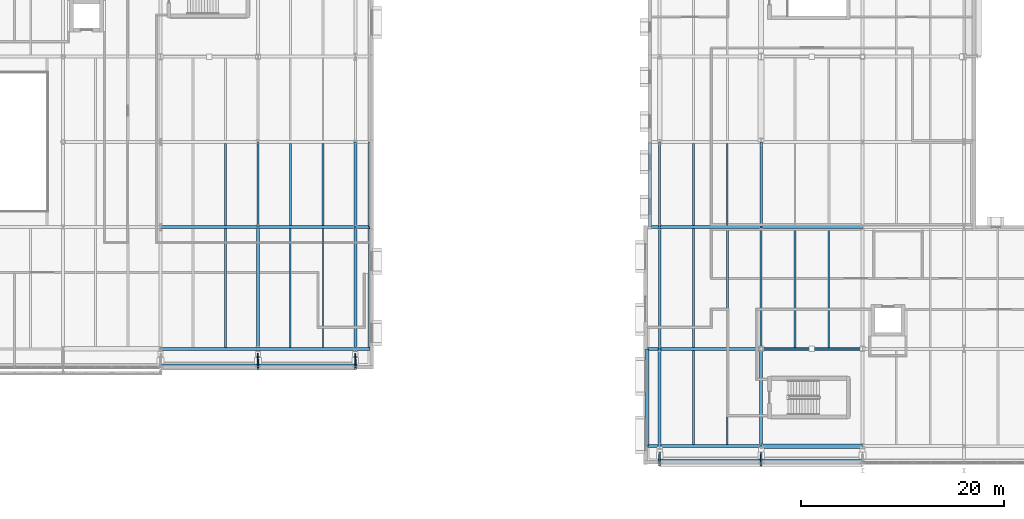
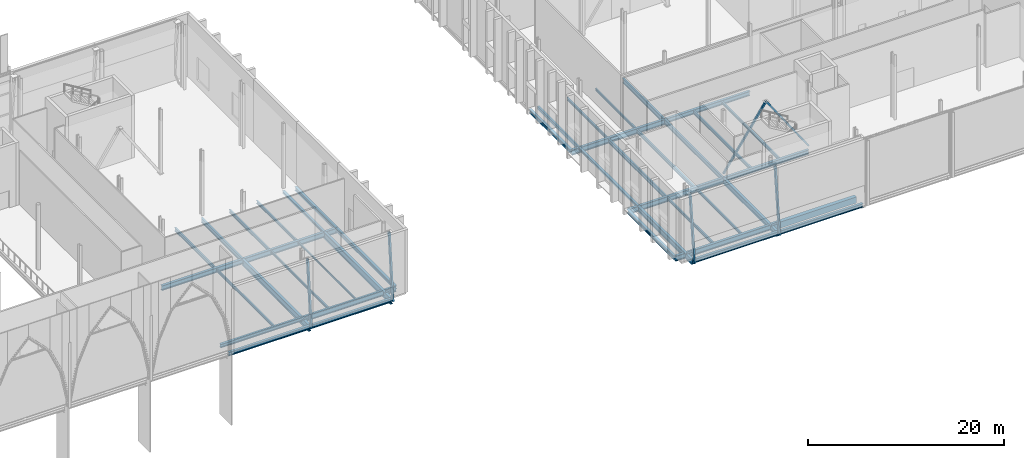
# One storey, part 31 of 79: 42 beams, 10 members.
"""IFC4 building model written with IfcOpenShell, lengths in metres."""

from ifc_helpers import new_model, si_unit, direction, frame, origin, origin_2d, place, context, subcontext, project, spatial, rectangle, hollow_rectangle, i_section, extrude, material, material_profile, profile_set, type_object, element, save


model = new_model("IFC4")

# Units and contexts
model_context = context("Model", 3, precision=1e-05, world=origin(), true_north=direction((0.0, 1.0)))
body_context = subcontext(model_context, "Body", "Model", "MODEL_VIEW")
ifc_project = project(units=[si_unit("LENGTHUNIT", "METRE"), si_unit("AREAUNIT", "SQUARE_METRE"), si_unit("VOLUMEUNIT", "CUBIC_METRE"), si_unit("PLANEANGLEUNIT", "RADIAN"), si_unit("MASSUNIT", "GRAM", prefix="KILO")], contexts=[model_context])

# Site, building, storey
site_placement = place(None, origin())
site = spatial("IfcSite", under=ifc_project, at=site_placement, CompositionType="ELEMENT")
building_placement = place(site_placement, origin())
building = spatial("IfcBuilding", under=site, at=building_placement, Name="Zereglee Splitstone Museum", CompositionType="ELEMENT")
storey_placement = place(building_placement, frame((0.0, 0.0, 9.0)))
storey = spatial("IfcBuildingStorey", under=building, at=storey_placement, Name="L02", CompositionType="ELEMENT", Elevation=9.0)

# Members
ifc_material_1 = material(Name="Steel S355J2H", Category="steel")
ifc_material_profile_1 = material_profile(ifc_material_1, hollow_rectangle(XDim=0.199951171875, YDim=0.199951171875, WallThickness=0.010009765625, at=origin_2d()), Name="SHS 200x200x10")
ifc_profile_set_1 = profile_set([ifc_material_profile_1], Name="Steel S355J2H")
member_type_1 = type_object("IfcMemberType", Name="TB-07", PredefinedType="BRACE", material=ifc_profile_set_1)
for number, where, z_axis, x_axis, name in (
    (1, (185.199951171875, 9.60009765625, 0.1201171875), (0.567215076926, 0.0, 0.82356970349), (0.0, 1.0, 0.0), "Lateral Braced Frame Chevron L02-017A"),
    (2, (195.199951171875, 9.60009765625, 0.1201171875), (-0.567215076926, 0.0, 0.82356970349), (0.0, -1.0, 0.0), "Lateral Braced Frame Chevron L02-017B"),
):
    element("IfcMember", number, at=place(storey_placement, frame(where, z_axis=z_axis, x_axis=x_axis)), inside=storey, type_object=member_type_1, Name=name, PredefinedType="BRACE", context=body_context, shape_type="SweptSolid", body=[
        extrude(hollow_rectangle(XDim=0.199951171875, YDim=0.199951171875, WallThickness=0.010009765625, at=origin_2d()), origin(), (0.0, 0.0, 1.0), 8.81494140625),
    ])

# Beams
ifc_material_2 = material(Name="Steel S355J2", Category="steel")
ifc_material_profile_2 = material_profile(ifc_material_2, i_section(OverallWidth=0.300048828125, OverallDepth=0.550048828125, WebThickness=0.014892578125, FlangeThickness=0.029052734375, FilletRadius=0.027099609375, at=origin_2d()), Name="HE 550 B")
ifc_profile_set_2 = profile_set([ifc_material_profile_2], Name="Steel S355J2")
beam_type_1 = type_object("IfcBeamType", Name="BG-11", PredefinedType="BEAM", material=ifc_profile_set_2)
for number, where, z_axis, x_axis, name in (
    (3, (185.199951171875, 9.60009765625, -0.594970703125), (1.0, 0.0, 0.0), (0.0, 1.0, 0.0), "Primary Girder L02 B (185.2-195.2)"),
    (4, (185.199951171875, 21.60009765625, -0.594970703125), (1.0, 0.0, 0.0), (0.0, 1.0, 0.0), "Primary Girder L02 C (185.2-195.2)"),
):
    element("IfcBeam", number, at=place(storey_placement, frame(where, z_axis=z_axis, x_axis=x_axis)), inside=storey, type_object=beam_type_1, Name=name, PredefinedType="BEAM", context=body_context, shape_type="SweptSolid", body=[
        extrude(i_section(OverallWidth=0.300048828125, OverallDepth=0.550048828125, WebThickness=0.014892578125, FlangeThickness=0.029052734375, FilletRadius=0.027099609375, at=origin_2d()), origin(), (0.0, 0.0, 1.0), 10.0),
    ])
ifc_material_profile_3 = material_profile(ifc_material_2, i_section(OverallWidth=0.300048828125, OverallDepth=0.60009765625, WebThickness=0.015380859375, FlangeThickness=0.030029296875, FilletRadius=0.027099609375, at=origin_2d()), Name="HE 600 B")
ifc_profile_set_3 = profile_set([ifc_material_profile_3], Name="Steel S355J2")
beam_type_2 = type_object("IfcBeamType", Name="BG-10", PredefinedType="BEAM", material=ifc_profile_set_3)
beam_1_placement = place(storey_placement, frame((126.0, 21.60009765625, -0.6201171875), z_axis=(1.0, 0.0, 0.0), x_axis=(0.0, 1.0, 0.0)))
element("IfcBeam", 5, at=beam_1_placement, inside=storey, type_object=beam_type_2, Name="Primary Girder L02 C (126.0-135.6)", PredefinedType="BEAM", context=body_context, shape_type="SweptSolid", body=[
    extrude(i_section(OverallWidth=0.300048828125, OverallDepth=0.60009765625, WebThickness=0.015380859375, FlangeThickness=0.030029296875, FilletRadius=0.027099609375, at=origin_2d()), origin(), (0.0, 0.0, 1.0), 9.60009765625),
])
ifc_material_profile_4 = material_profile(ifc_material_2, i_section(OverallWidth=0.300048828125, OverallDepth=0.64990234375, WebThickness=0.01611328125, FlangeThickness=0.031005859375, FilletRadius=0.027099609375, at=origin_2d()), Name="HE 650 B")
ifc_profile_set_4 = profile_set([ifc_material_profile_4], Name="Steel S355J2")
beam_type_3 = type_object("IfcBeamType", Name="BG-09", PredefinedType="BEAM", material=ifc_profile_set_4)
beam_2_placement = place(storey_placement, frame((173.949951171875, 0.0, -0.64501953125), z_axis=(1.0, 0.0, 0.0), x_axis=(0.0, 1.0, 0.0)))
element("IfcBeam", 6, at=beam_2_placement, inside=storey, type_object=beam_type_3, Name="Primary Girder L02 A (173.9-185.2)", PredefinedType="BEAM", context=body_context, shape_type="SweptSolid", body=[
    extrude(i_section(OverallWidth=0.300048828125, OverallDepth=0.64990234375, WebThickness=0.01611328125, FlangeThickness=0.031005859375, FilletRadius=0.027099609375, at=origin_2d()), origin(), (0.0, 0.0, 1.0), 11.25),
])
beam_3_placement = place(storey_placement, frame((135.60009765625, 9.60009765625, -0.64501953125), z_axis=(1.0, 0.0, 0.0), x_axis=(0.0, 1.0, 0.0)))
element("IfcBeam", 7, at=beam_3_placement, inside=storey, type_object=beam_type_3, Name="Primary Girder L02 B (135.6-146.7)", PredefinedType="BEAM", context=body_context, shape_type="SweptSolid", body=[
    extrude(i_section(OverallWidth=0.300048828125, OverallDepth=0.64990234375, WebThickness=0.01611328125, FlangeThickness=0.031005859375, FilletRadius=0.027099609375, at=origin_2d()), origin(), (0.0, 0.0, 1.0), 11.0498046875),
])
beam_4_placement = place(storey_placement, frame((173.949951171875, 9.60009765625, -0.64501953125), z_axis=(1.0, 0.0, 0.0), x_axis=(0.0, 1.0, 0.0)))
element("IfcBeam", 8, at=beam_4_placement, inside=storey, type_object=beam_type_3, Name="Primary Girder L02 B (173.9-185.2)", PredefinedType="BEAM", context=body_context, shape_type="SweptSolid", body=[
    extrude(i_section(OverallWidth=0.300048828125, OverallDepth=0.64990234375, WebThickness=0.01611328125, FlangeThickness=0.031005859375, FilletRadius=0.027099609375, at=origin_2d()), origin(), (0.0, 0.0, 1.0), 11.25),
])
beam_5_placement = place(storey_placement, frame((135.60009765625, 21.60009765625, -0.64501953125), z_axis=(1.0, 0.0, 0.0), x_axis=(0.0, 1.0, 0.0)))
element("IfcBeam", 9, at=beam_5_placement, inside=storey, type_object=beam_type_3, Name="Primary Girder L02 C (135.6-146.7)", PredefinedType="BEAM", context=body_context, shape_type="SweptSolid", body=[
    extrude(i_section(OverallWidth=0.300048828125, OverallDepth=0.64990234375, WebThickness=0.01611328125, FlangeThickness=0.031005859375, FilletRadius=0.027099609375, at=origin_2d()), origin(), (0.0, 0.0, 1.0), 11.0498046875),
])
beam_6_placement = place(storey_placement, frame((174.25, 21.60009765625, -0.64501953125), z_axis=(1.0, 0.0, 0.0), x_axis=(0.0, 1.0, 0.0)))
element("IfcBeam", 10, at=beam_6_placement, inside=storey, type_object=beam_type_3, Name="Primary Girder L02 C (174.2-185.2)", PredefinedType="BEAM", context=body_context, shape_type="SweptSolid", body=[
    extrude(i_section(OverallWidth=0.300048828125, OverallDepth=0.64990234375, WebThickness=0.01611328125, FlangeThickness=0.031005859375, FilletRadius=0.027099609375, at=origin_2d()), origin(), (0.0, 0.0, 1.0), 10.949951171875),
])
for number, where, z_axis, x_axis, name in (
    (11, (175.199951171875, -1.449951171875, -0.64501953125), (0.0, 1.0, 0.0), (-1.0, 0.0, 0.0), "Primary Girder L02 20 (-1.4-9.6)"),
    (12, (185.199951171875, -1.449951171875, -0.64501953125), (0.0, 1.0, 0.0), (-1.0, 0.0, 0.0), "Primary Girder L02 21 (-1.4-9.6)"),
):
    element("IfcBeam", number, at=place(storey_placement, frame(where, z_axis=z_axis, x_axis=x_axis)), inside=storey, type_object=beam_type_3, Name=name, PredefinedType="BEAM", context=body_context, shape_type="SweptSolid", body=[
        extrude(i_section(OverallWidth=0.300048828125, OverallDepth=0.64990234375, WebThickness=0.01611328125, FlangeThickness=0.031005859375, FilletRadius=0.027099609375, at=origin_2d()), origin(), (0.0, 0.0, 1.0), 11.050048828125),
    ])
ifc_material_profile_5 = material_profile(ifc_material_2, i_section(OverallWidth=0.300048828125, OverallDepth=0.800048828125, WebThickness=0.017578125, FlangeThickness=0.032958984375, FilletRadius=0.030029296875, at=origin_2d()), Name="HE 800 B")
ifc_profile_set_5 = profile_set([ifc_material_profile_5], Name="Steel S355J2")
beam_type_4 = type_object("IfcBeamType", Name="BG-07", PredefinedType="BEAM", material=ifc_profile_set_5)
for number, where, z_axis, x_axis, name in (
    (13, (135.60009765625, 7.949951171875, -0.719970703125), (0.0, 1.0, 0.0), (-1.0, 0.0, 0.0), "Primary Girder L02 16 (8.0-21.6)"),
    (14, (145.199951171875, 7.949951171875, -0.719970703125), (0.0, 1.0, 0.0), (-1.0, 0.0, 0.0), "Primary Girder L02 17 (8.0-21.6)"),
):
    element("IfcBeam", number, at=place(storey_placement, frame(where, z_axis=z_axis, x_axis=x_axis)), inside=storey, type_object=beam_type_4, Name=name, PredefinedType="BEAM", context=body_context, shape_type="SweptSolid", body=[
        extrude(i_section(OverallWidth=0.300048828125, OverallDepth=0.800048828125, WebThickness=0.017578125, FlangeThickness=0.032958984375, FilletRadius=0.030029296875, at=origin_2d()), origin(), (0.0, 0.0, 1.0), 13.650146484375),
    ])
ifc_material_profile_6 = material_profile(ifc_material_2, i_section(OverallWidth=0.2099609375, OverallDepth=0.550048828125, WebThickness=0.010986328125, FlangeThickness=0.01708984375, FilletRadius=0.02392578125, at=origin_2d()), Name="IPE 550")
ifc_profile_set_6 = profile_set([ifc_material_profile_6], Name="Steel S355J2")
beam_type_5 = type_object("IfcBeamType", Name="BG-16", PredefinedType="BEAM", material=ifc_profile_set_6)
beam_7_placement = place(storey_placement, frame((135.60009765625, 21.60009765625, -0.594970703125), z_axis=(0.0, 1.0, 0.0), x_axis=(-1.0, 0.0, 0.0)))
element("IfcBeam", 15, at=beam_7_placement, inside=storey, type_object=beam_type_5, Name="Primary Girder L02 16 (21.6-30.0)", PredefinedType="BEAM", context=body_context, shape_type="SweptSolid", body=[
    extrude(i_section(OverallWidth=0.2099609375, OverallDepth=0.550048828125, WebThickness=0.010986328125, FlangeThickness=0.01708984375, FilletRadius=0.02392578125, at=origin_2d()), origin(), (0.0, 0.0, 1.0), 8.39990234375),
])
beam_8_placement = place(storey_placement, frame((185.199951171875, 9.60009765625, -0.594970703125), z_axis=(0.0, 1.0, 0.0), x_axis=(-1.0, 0.0, 0.0)))
element("IfcBeam", 16, at=beam_8_placement, inside=storey, type_object=beam_type_5, Name="Primary Girder L02 21 (9.6-21.6)", PredefinedType="BEAM", context=body_context, shape_type="SweptSolid", body=[
    extrude(i_section(OverallWidth=0.2099609375, OverallDepth=0.550048828125, WebThickness=0.010986328125, FlangeThickness=0.01708984375, FilletRadius=0.02392578125, at=origin_2d()), origin(), (0.0, 0.0, 1.0), 12.0),
])
ifc_material_profile_7 = material_profile(ifc_material_2, i_section(OverallWidth=0.219970703125, OverallDepth=0.60009765625, WebThickness=0.011962890625, FlangeThickness=0.01904296875, FilletRadius=0.02392578125, at=origin_2d()), Name="IPE 600")
ifc_profile_set_7 = profile_set([ifc_material_profile_7], Name="Steel S355J2")
beam_type_6 = type_object("IfcBeamType", Name="BG-15", PredefinedType="BEAM", material=ifc_profile_set_7)
beam_9_placement = place(storey_placement, frame((185.199951171875, 21.60009765625, -0.6201171875), z_axis=(0.0, 1.0, 0.0), x_axis=(-1.0, 0.0, 0.0)))
element("IfcBeam", 17, at=beam_9_placement, inside=storey, type_object=beam_type_6, Name="Primary Girder L02 21 (21.6-30.0)", PredefinedType="BEAM", context=body_context, shape_type="SweptSolid", body=[
    extrude(i_section(OverallWidth=0.219970703125, OverallDepth=0.60009765625, WebThickness=0.011962890625, FlangeThickness=0.01904296875, FilletRadius=0.02392578125, at=origin_2d()), origin(), (0.0, 0.0, 1.0), 8.39990234375),
])
ifc_material_profile_8 = material_profile(ifc_material_2, i_section(OverallWidth=0.1201171875, OverallDepth=0.239990234375, WebThickness=0.006103515625, FlangeThickness=0.009765625, FilletRadius=0.014892578125, at=origin_2d()), Name="IPE 240")
ifc_profile_set_8 = profile_set([ifc_material_profile_8], Name="Steel S355J2")
beam_type_7 = type_object("IfcBeamType", Name="BJ-07", PredefinedType="JOIST", material=ifc_profile_set_8)
beam_10_placement = place(storey_placement, frame((142.0, 9.75, -0.43994140625), z_axis=(0.0, 1.0, 0.0), x_axis=(-1.0, 0.0, 0.0)))
element("IfcBeam", 18, at=beam_10_placement, inside=storey, type_object=beam_type_7, Name="Secondary Floor Joist L02-1063", PredefinedType="JOIST", context=body_context, shape_type="SweptSolid", body=[
    extrude(i_section(OverallWidth=0.1201171875, OverallDepth=0.239990234375, WebThickness=0.006103515625, FlangeThickness=0.009765625, FilletRadius=0.014892578125, at=origin_2d()), origin(), (0.0, 0.0, 1.0), 11.699951171875),
])
ifc_material_profile_9 = material_profile(ifc_material_2, i_section(OverallWidth=0.14990234375, OverallDepth=0.300048828125, WebThickness=0.007080078125, FlangeThickness=0.0107421875, FilletRadius=0.014892578125, at=origin_2d()), Name="IPE 300")
ifc_profile_set_9 = profile_set([ifc_material_profile_9], Name="Steel S355J2")
beam_type_8 = type_object("IfcBeamType", Name="BJ-06", PredefinedType="JOIST", material=ifc_profile_set_9)
beam_11_placement = place(storey_placement, frame((138.800048828125, 9.75, -0.469970703125), z_axis=(0.0, 1.0, 0.0), x_axis=(-1.0, 0.0, 0.0)))
element("IfcBeam", 19, at=beam_11_placement, inside=storey, type_object=beam_type_8, Name="Secondary Floor Joist L02-1062", PredefinedType="JOIST", context=body_context, shape_type="SweptSolid", body=[
    extrude(i_section(OverallWidth=0.14990234375, OverallDepth=0.300048828125, WebThickness=0.007080078125, FlangeThickness=0.0107421875, FilletRadius=0.014892578125, at=origin_2d()), origin(), (0.0, 0.0, 1.0), 11.699951171875),
])
beam_12_placement = place(storey_placement, frame((181.86669921875, 21.75, -0.469970703125), z_axis=(0.0, 1.0, 0.0), x_axis=(-1.0, 0.0, 0.0)))
element("IfcBeam", 20, at=beam_12_placement, inside=storey, type_object=beam_type_8, Name="Secondary Floor Joist L02-1090", PredefinedType="JOIST", context=body_context, shape_type="SweptSolid", body=[
    extrude(i_section(OverallWidth=0.14990234375, OverallDepth=0.300048828125, WebThickness=0.007080078125, FlangeThickness=0.0107421875, FilletRadius=0.014892578125, at=origin_2d()), origin(), (0.0, 0.0, 1.0), 8.10009765625),
])
ifc_material_profile_10 = material_profile(ifc_material_2, i_section(OverallWidth=0.159912109375, OverallDepth=0.330078125, WebThickness=0.007568359375, FlangeThickness=0.011474609375, FilletRadius=0.01806640625, at=origin_2d()), Name="IPE 330")
ifc_profile_set_10 = profile_set([ifc_material_profile_10], Name="Steel S355J2")
beam_type_9 = type_object("IfcBeamType", Name="BJ-05", PredefinedType="JOIST", material=ifc_profile_set_10)
beam_13_placement = place(storey_placement, frame((181.86669921875, 0.14990234375, -0.485107421875), z_axis=(0.0, 1.0, 0.0), x_axis=(-1.0, 0.0, 0.0)))
element("IfcBeam", 21, at=beam_13_placement, inside=storey, type_object=beam_type_9, Name="Secondary Floor Joist L02-1040", PredefinedType="JOIST", context=body_context, shape_type="SweptSolid", body=[
    extrude(i_section(OverallWidth=0.159912109375, OverallDepth=0.330078125, WebThickness=0.007568359375, FlangeThickness=0.011474609375, FilletRadius=0.01806640625, at=origin_2d()), origin(), (0.0, 0.0, 1.0), 9.300048828125),
])
beam_14_placement = place(storey_placement, frame((132.39990234375, 9.75, -0.485107421875), z_axis=(0.0, 1.0, 0.0), x_axis=(-1.0, 0.0, 0.0)))
element("IfcBeam", 22, at=beam_14_placement, inside=storey, type_object=beam_type_9, Name="Secondary Floor Joist L02-1061", PredefinedType="JOIST", context=body_context, shape_type="SweptSolid", body=[
    extrude(i_section(OverallWidth=0.159912109375, OverallDepth=0.330078125, WebThickness=0.007568359375, FlangeThickness=0.011474609375, FilletRadius=0.01806640625, at=origin_2d()), origin(), (0.0, 0.0, 1.0), 11.699951171875),
])
beam_15_placement = place(storey_placement, frame((178.533203125, 21.75, -0.485107421875), z_axis=(0.0, 1.0, 0.0), x_axis=(-1.0, 0.0, 0.0)))
element("IfcBeam", 23, at=beam_15_placement, inside=storey, type_object=beam_type_9, Name="Secondary Floor Joist L02-1089", PredefinedType="JOIST", context=body_context, shape_type="SweptSolid", body=[
    extrude(i_section(OverallWidth=0.159912109375, OverallDepth=0.330078125, WebThickness=0.007568359375, FlangeThickness=0.011474609375, FilletRadius=0.01806640625, at=origin_2d()), origin(), (0.0, 0.0, 1.0), 8.10009765625),
])
ifc_material_profile_11 = material_profile(ifc_material_2, i_section(OverallWidth=0.169921875, OverallDepth=0.360107421875, WebThickness=0.008056640625, FlangeThickness=0.0126953125, FilletRadius=0.01806640625, at=origin_2d()), Name="IPE 360")
ifc_profile_set_11 = profile_set([ifc_material_profile_11], Name="Steel S355J2")
beam_type_10 = type_object("IfcBeamType", Name="BJ-04", PredefinedType="JOIST", material=ifc_profile_set_11)
beam_16_placement = place(storey_placement, frame((178.533203125, 0.14990234375, -0.5), z_axis=(0.0, 1.0, 0.0), x_axis=(-1.0, 0.0, 0.0)))
element("IfcBeam", 24, at=beam_16_placement, inside=storey, type_object=beam_type_10, Name="Secondary Floor Joist L02-1039", PredefinedType="JOIST", context=body_context, shape_type="SweptSolid", body=[
    extrude(i_section(OverallWidth=0.169921875, OverallDepth=0.360107421875, WebThickness=0.008056640625, FlangeThickness=0.0126953125, FilletRadius=0.01806640625, at=origin_2d()), origin(), (0.0, 0.0, 1.0), 9.300048828125),
])
beam_17_placement = place(storey_placement, frame((191.86669921875, 9.75, -0.5), z_axis=(0.0, 1.0, 0.0), x_axis=(-1.0, 0.0, 0.0)))
element("IfcBeam", 25, at=beam_17_placement, inside=storey, type_object=beam_type_10, Name="Secondary Floor Joist L02-1067", PredefinedType="JOIST", context=body_context, shape_type="SweptSolid", body=[
    extrude(i_section(OverallWidth=0.169921875, OverallDepth=0.360107421875, WebThickness=0.008056640625, FlangeThickness=0.0126953125, FilletRadius=0.01806640625, at=origin_2d()), origin(), (0.0, 0.0, 1.0), 11.699951171875),
])
beam_18_placement = place(storey_placement, frame((142.0, 21.75, -0.5), z_axis=(0.0, 1.0, 0.0), x_axis=(-1.0, 0.0, 0.0)))
element("IfcBeam", 26, at=beam_18_placement, inside=storey, type_object=beam_type_10, Name="Secondary Floor Joist L02-1088", PredefinedType="JOIST", context=body_context, shape_type="SweptSolid", body=[
    extrude(i_section(OverallWidth=0.169921875, OverallDepth=0.360107421875, WebThickness=0.008056640625, FlangeThickness=0.0126953125, FilletRadius=0.01806640625, at=origin_2d()), origin(), (0.0, 0.0, 1.0), 8.10009765625),
])
ifc_material_profile_12 = material_profile(ifc_material_2, i_section(OverallWidth=0.179931640625, OverallDepth=0.39990234375, WebThickness=0.008544921875, FlangeThickness=0.013427734375, FilletRadius=0.02099609375, at=origin_2d()), Name="IPE 400")
ifc_profile_set_12 = profile_set([ifc_material_profile_12], Name="Steel S355J2")
beam_type_11 = type_object("IfcBeamType", Name="BJ-03", PredefinedType="JOIST", material=ifc_profile_set_12)
beam_19_placement = place(storey_placement, frame((188.533203125, 9.75, -0.52001953125), z_axis=(0.0, 1.0, 0.0), x_axis=(-1.0, 0.0, 0.0)))
element("IfcBeam", 27, at=beam_19_placement, inside=storey, type_object=beam_type_11, Name="Secondary Floor Joist L02-1066", PredefinedType="JOIST", context=body_context, shape_type="SweptSolid", body=[
    extrude(i_section(OverallWidth=0.179931640625, OverallDepth=0.39990234375, WebThickness=0.008544921875, FlangeThickness=0.013427734375, FilletRadius=0.02099609375, at=origin_2d()), origin(), (0.0, 0.0, 1.0), 11.699951171875),
])
beam_20_placement = place(storey_placement, frame((138.800048828125, 21.75, -0.52001953125), z_axis=(0.0, 1.0, 0.0), x_axis=(-1.0, 0.0, 0.0)))
element("IfcBeam", 28, at=beam_20_placement, inside=storey, type_object=beam_type_11, Name="Secondary Floor Joist L02-1087", PredefinedType="JOIST", context=body_context, shape_type="SweptSolid", body=[
    extrude(i_section(OverallWidth=0.179931640625, OverallDepth=0.39990234375, WebThickness=0.008544921875, FlangeThickness=0.013427734375, FilletRadius=0.02099609375, at=origin_2d()), origin(), (0.0, 0.0, 1.0), 8.10009765625),
])
ifc_material_profile_13 = material_profile(ifc_material_2, i_section(OverallWidth=0.18994140625, OverallDepth=0.449951171875, WebThickness=0.009521484375, FlangeThickness=0.0146484375, FilletRadius=0.02099609375, at=origin_2d()), Name="IPE 450")
ifc_profile_set_13 = profile_set([ifc_material_profile_13], Name="Steel S355J2")
beam_type_12 = type_object("IfcBeamType", Name="BJ-02", PredefinedType="JOIST", material=ifc_profile_set_13)
beam_21_placement = place(storey_placement, frame((181.86669921875, 9.75, -0.544921875), z_axis=(0.0, 1.0, 0.0), x_axis=(-1.0, 0.0, 0.0)))
element("IfcBeam", 29, at=beam_21_placement, inside=storey, type_object=beam_type_12, Name="Secondary Floor Joist L02-1065", PredefinedType="JOIST", context=body_context, shape_type="SweptSolid", body=[
    extrude(i_section(OverallWidth=0.18994140625, OverallDepth=0.449951171875, WebThickness=0.009521484375, FlangeThickness=0.0146484375, FilletRadius=0.02099609375, at=origin_2d()), origin(), (0.0, 0.0, 1.0), 11.699951171875),
])
beam_22_placement = place(storey_placement, frame((132.39990234375, 21.75, -0.544921875), z_axis=(0.0, 1.0, 0.0), x_axis=(-1.0, 0.0, 0.0)))
element("IfcBeam", 30, at=beam_22_placement, inside=storey, type_object=beam_type_12, Name="Secondary Floor Joist L02-1086", PredefinedType="JOIST", context=body_context, shape_type="SweptSolid", body=[
    extrude(i_section(OverallWidth=0.18994140625, OverallDepth=0.449951171875, WebThickness=0.009521484375, FlangeThickness=0.0146484375, FilletRadius=0.02099609375, at=origin_2d()), origin(), (0.0, 0.0, 1.0), 8.10009765625),
])
ifc_material_profile_14 = material_profile(ifc_material_2, i_section(OverallWidth=0.199951171875, OverallDepth=0.5, WebThickness=0.01025390625, FlangeThickness=0.01611328125, FilletRadius=0.02099609375, at=origin_2d()), Name="IPE 500")
ifc_profile_set_14 = profile_set([ifc_material_profile_14], Name="Steel S355J2")
beam_type_13 = type_object("IfcBeamType", Name="BJ-01", PredefinedType="JOIST", material=ifc_profile_set_14)
beam_23_placement = place(storey_placement, frame((178.533203125, 9.75, -0.570068359375), z_axis=(0.0, 1.0, 0.0), x_axis=(-1.0, 0.0, 0.0)))
element("IfcBeam", 31, at=beam_23_placement, inside=storey, type_object=beam_type_13, Name="Secondary Floor Joist L02-1064", PredefinedType="JOIST", context=body_context, shape_type="SweptSolid", body=[
    extrude(i_section(OverallWidth=0.199951171875, OverallDepth=0.5, WebThickness=0.01025390625, FlangeThickness=0.01611328125, FilletRadius=0.02099609375, at=origin_2d()), origin(), (0.0, 0.0, 1.0), 11.699951171875),
])
ifc_material_profile_15 = material_profile(ifc_material_2, i_section(OverallWidth=0.280029296875, OverallDepth=0.280029296875, WebThickness=0.010498046875, FlangeThickness=0.01806640625, FilletRadius=0.02392578125, at=origin_2d()), Name="HE 280 B")
ifc_profile_set_15 = profile_set([ifc_material_profile_15], Name="Steel S355J2")
beam_type_14 = type_object("IfcBeamType", Name="SP-03", PredefinedType="SPANDREL", material=ifc_profile_set_15)
beam_24_placement = place(storey_placement, frame((145.199951171875, 21.60009765625, -0.4599609375), z_axis=(0.0, 1.0, 0.0), x_axis=(-1.0, 0.0, 0.0)))
element("IfcBeam", 32, at=beam_24_placement, inside=storey, type_object=beam_type_14, Name="Primary Girder L02 17 (21.6-30.0)", PredefinedType="SPANDREL", context=body_context, shape_type="SweptSolid", body=[
    extrude(i_section(OverallWidth=0.280029296875, OverallDepth=0.280029296875, WebThickness=0.010498046875, FlangeThickness=0.01806640625, FilletRadius=0.02392578125, at=origin_2d()), origin(), (0.0, 0.0, 1.0), 8.39990234375),
])
beam_25_placement = place(storey_placement, frame((175.199951171875, 9.60009765625, -0.4599609375), z_axis=(0.0, 1.0, 0.0), x_axis=(-1.0, 0.0, 0.0)))
element("IfcBeam", 33, at=beam_25_placement, inside=storey, type_object=beam_type_14, Name="Primary Girder L02 20 (9.6-21.6)", PredefinedType="SPANDREL", context=body_context, shape_type="SweptSolid", body=[
    extrude(i_section(OverallWidth=0.280029296875, OverallDepth=0.280029296875, WebThickness=0.010498046875, FlangeThickness=0.01806640625, FilletRadius=0.02392578125, at=origin_2d()), origin(), (0.0, 0.0, 1.0), 12.0),
])
ifc_material_profile_16 = material_profile(ifc_material_2, i_section(OverallWidth=0.300048828125, OverallDepth=0.449951171875, WebThickness=0.013916015625, FlangeThickness=0.02587890625, FilletRadius=0.027099609375, at=origin_2d()), Name="HE 450 B")
ifc_profile_set_16 = profile_set([ifc_material_profile_16], Name="Steel S355J2")
beam_type_15 = type_object("IfcBeamType", Name="SP-02", PredefinedType="SPANDREL", material=ifc_profile_set_16)
for number, where, z_axis, x_axis, name in (
    (34, (126.0, 9.60009765625, -0.544921875), (1.0, 0.0, 0.0), (0.0, 1.0, 0.0), "Primary Girder L02 B (126.0-135.6)"),
    (35, (126.0, 7.949951171875, -0.544921875), (1.0, 0.0, 0.0), (0.0, 1.0, 0.0), "Hovering Soffit Spandrel L02 (126.0-135.6)"),
):
    element("IfcBeam", number, at=place(storey_placement, frame(where, z_axis=z_axis, x_axis=x_axis)), inside=storey, type_object=beam_type_15, Name=name, PredefinedType="SPANDREL", context=body_context, shape_type="SweptSolid", body=[
        extrude(i_section(OverallWidth=0.300048828125, OverallDepth=0.449951171875, WebThickness=0.013916015625, FlangeThickness=0.02587890625, FilletRadius=0.027099609375, at=origin_2d()), origin(), (0.0, 0.0, 1.0), 9.60009765625),
    ])
beam_26_placement = place(storey_placement, frame((135.60009765625, 7.949951171875, -0.544921875), z_axis=(1.0, 0.0, 0.0), x_axis=(0.0, 1.0, 0.0)))
element("IfcBeam", 36, at=beam_26_placement, inside=storey, type_object=beam_type_15, Name="Hovering Soffit Spandrel L02 (135.6-145.2)", PredefinedType="SPANDREL", context=body_context, shape_type="SweptSolid", body=[
    extrude(i_section(OverallWidth=0.300048828125, OverallDepth=0.449951171875, WebThickness=0.013916015625, FlangeThickness=0.02587890625, FilletRadius=0.027099609375, at=origin_2d()), origin(), (0.0, 0.0, 1.0), 9.599853515625),
])
beam_27_placement = place(storey_placement, frame((146.64990234375, 9.60009765625, -0.544921875), z_axis=(0.0, 1.0, 0.0), x_axis=(-1.0, 0.0, 0.0)))
element("IfcBeam", 37, at=beam_27_placement, inside=storey, type_object=beam_type_15, Name="Hovering Soffit Spandrel L02 Y=(9.6-21.6)", PredefinedType="SPANDREL", context=body_context, shape_type="SweptSolid", body=[
    extrude(i_section(OverallWidth=0.300048828125, OverallDepth=0.449951171875, WebThickness=0.013916015625, FlangeThickness=0.02587890625, FilletRadius=0.027099609375, at=origin_2d()), origin(), (0.0, 0.0, 1.0), 12.0),
])
beam_28_placement = place(storey_placement, frame((146.64990234375, 21.60009765625, -0.544921875), z_axis=(0.0, 1.0, 0.0), x_axis=(-1.0, 0.0, 0.0)))
element("IfcBeam", 38, at=beam_28_placement, inside=storey, type_object=beam_type_15, Name="Hovering Soffit Spandrel L02 Y=(21.6-30.0)", PredefinedType="SPANDREL", context=body_context, shape_type="SweptSolid", body=[
    extrude(i_section(OverallWidth=0.300048828125, OverallDepth=0.449951171875, WebThickness=0.013916015625, FlangeThickness=0.02587890625, FilletRadius=0.027099609375, at=origin_2d()), origin(), (0.0, 0.0, 1.0), 8.39990234375),
])
for number, where, z_axis, x_axis, name in (
    (39, (175.199951171875, -1.449951171875, -0.544921875), (1.0, 0.0, 0.0), (0.0, 1.0, 0.0), "Hovering Soffit Spandrel L02 (175.2-185.2)"),
    (40, (185.199951171875, -1.449951171875, -0.544921875), (1.0, 0.0, 0.0), (0.0, 1.0, 0.0), "Hovering Soffit Spandrel L02 (185.2-195.2)"),
):
    element("IfcBeam", number, at=place(storey_placement, frame(where, z_axis=z_axis, x_axis=x_axis)), inside=storey, type_object=beam_type_15, Name=name, PredefinedType="SPANDREL", context=body_context, shape_type="SweptSolid", body=[
        extrude(i_section(OverallWidth=0.300048828125, OverallDepth=0.449951171875, WebThickness=0.013916015625, FlangeThickness=0.02587890625, FilletRadius=0.027099609375, at=origin_2d()), origin(), (0.0, 0.0, 1.0), 10.0),
    ])
beam_29_placement = place(storey_placement, frame((173.949951171875, 0.0, -0.544921875), z_axis=(0.0, 1.0, 0.0), x_axis=(-1.0, 0.0, 0.0)))
element("IfcBeam", 41, at=beam_29_placement, inside=storey, type_object=beam_type_15, Name="Hovering Soffit Spandrel L02 Y=(0.0-9.6)", PredefinedType="SPANDREL", context=body_context, shape_type="SweptSolid", body=[
    extrude(i_section(OverallWidth=0.300048828125, OverallDepth=0.449951171875, WebThickness=0.013916015625, FlangeThickness=0.02587890625, FilletRadius=0.027099609375, at=origin_2d()), origin(), (0.0, 0.0, 1.0), 9.60009765625),
])
beam_30_placement = place(storey_placement, frame((174.25, 21.60009765625, -0.544921875), z_axis=(0.0, 1.0, 0.0), x_axis=(-1.0, 0.0, 0.0)))
element("IfcBeam", 42, at=beam_30_placement, inside=storey, type_object=beam_type_15, Name="Hovering Soffit Spandrel L02 Y=(21.6-30.0)", PredefinedType="SPANDREL", context=body_context, shape_type="SweptSolid", body=[
    extrude(i_section(OverallWidth=0.300048828125, OverallDepth=0.449951171875, WebThickness=0.013916015625, FlangeThickness=0.02587890625, FilletRadius=0.027099609375, at=origin_2d()), origin(), (0.0, 0.0, 1.0), 8.39990234375),
])
ifc_material_3 = material(Name="Concrete C40/50", Category="concrete")
ifc_material_profile_17 = material_profile(ifc_material_3, rectangle(XDim=0.449951171875, YDim=0.75, at=origin_2d()), Name="RC 450x750")
ifc_profile_set_17 = profile_set([ifc_material_profile_17], Name="Concrete C40/50")
beam_type_16 = type_object("IfcBeamType", Name="SP-01", PredefinedType="SPANDREL", material=ifc_profile_set_17)
beam_31_placement = place(storey_placement, frame((185.199951171875, 0.0, -0.695068359375), z_axis=(1.0, 0.0, 0.0), x_axis=(0.0, 1.0, 0.0)))
element("IfcBeam", 43, at=beam_31_placement, inside=storey, type_object=beam_type_16, Name="Primary Girder L02 A (185.2-195.2)", PredefinedType="SPANDREL", context=body_context, shape_type="SweptSolid", body=[
    extrude(rectangle(XDim=0.449951171875, YDim=0.75, at=origin_2d()), origin(), (0.0, 0.0, 1.0), 10.0),
])
ifc_material_profile_18 = material_profile(ifc_material_1, hollow_rectangle(XDim=0.199951171875, YDim=0.39990234375, WallThickness=0.01611328125, at=origin_2d()), Name="RHS 400x200x16")
ifc_profile_set_18 = profile_set([ifc_material_profile_18], Name="Steel S355J2H")
beam_type_17 = type_object("IfcBeamType", Name="SP-04", PredefinedType="SPANDREL", material=ifc_profile_set_18)
beam_32_placement = place(storey_placement, frame((175.199951171875, 21.60009765625, -0.52001953125), z_axis=(0.0, 1.0, 0.0), x_axis=(-1.0, 0.0, 0.0)))
element("IfcBeam", 44, at=beam_32_placement, inside=storey, type_object=beam_type_17, Name="Primary Girder L02 20 (21.6-30.0)", PredefinedType="SPANDREL", context=body_context, shape_type="SweptSolid", body=[
    extrude(hollow_rectangle(XDim=0.199951171875, YDim=0.39990234375, WallThickness=0.01611328125, at=origin_2d()), origin(), (0.0, 0.0, 1.0), 8.39990234375),
])

# Members
ifc_material_profile_19 = material_profile(ifc_material_1, hollow_rectangle(XDim=0.199951171875, YDim=0.300048828125, WallThickness=0.012451171875, at=origin_2d()), Name="RHS 300x200x12.5")
ifc_profile_set_19 = profile_set([ifc_material_profile_19], Name="Steel S355J2H")
member_type_2 = type_object("IfcMemberType", Name="FS-R1", PredefinedType="STRUT", material=ifc_profile_set_19)
for number, where, z_axis, x_axis, name in (
    (45, (135.60009765625, 7.695068359375, -0.570068359375), (0.0, 0.090888526295, 0.995861072534), (-1.0, 0.0, 0.0), "Split-Rock Continuous Facet Strut FH-V2SE L02-02"),
    (46, (145.199951171875, 7.695068359375, -0.570068359375), (0.0, 0.090888526295, 0.995861072534), (-1.0, 0.0, 0.0), "Split-Rock Continuous Facet Strut FH-V2SE L02-03"),
):
    element("IfcMember", number, at=place(storey_placement, frame(where, z_axis=z_axis, x_axis=x_axis)), inside=storey, type_object=member_type_2, Name=name, PredefinedType="STRUT", context=body_context, shape_type="SweptSolid", body=[
        extrude(hollow_rectangle(XDim=0.199951171875, YDim=0.300048828125, WallThickness=0.012451171875, at=origin_2d()), origin(), (0.0, 0.0, 1.0), 8.174072265625),
    ])
for number, where, z_axis, x_axis, name in (
    (47, (175.199951171875, -1.823974609375, -0.570068359375), (0.0, 0.111942663622, 0.993714667327), (-1.0, 0.0, 0.0), "Split-Rock Continuous Facet Strut FH-V3S L02-01"),
    (48, (185.199951171875, -1.823974609375, -0.570068359375), (0.0, 0.111942663622, 0.993714667327), (-1.0, 0.0, 0.0), "Split-Rock Continuous Facet Strut FH-V3S L02-02"),
):
    element("IfcMember", number, at=place(storey_placement, frame(where, z_axis=z_axis, x_axis=x_axis)), inside=storey, type_object=member_type_2, Name=name, PredefinedType="STRUT", context=body_context, shape_type="SweptSolid", body=[
        extrude(hollow_rectangle(XDim=0.199951171875, YDim=0.300048828125, WallThickness=0.012451171875, at=origin_2d()), origin(), (0.0, 0.0, 1.0), 8.191650390625),
    ])
ifc_material_profile_20 = material_profile(ifc_material_1, hollow_rectangle(XDim=0.10009765625, YDim=0.179931640625, WallThickness=0.008056640625, at=origin_2d()), Name="RHS 180x100x8")
ifc_profile_set_20 = profile_set([ifc_material_profile_20], Name="Steel S355J2H")
member_type_3 = type_object("IfcMemberType", Name="FS-T2", PredefinedType="STRUT", material=ifc_profile_set_20)
for number, where, z_axis, x_axis, name in (
    (49, (135.60009765625, 9.10009765625, -0.280029296875), (0.0, -0.739099080586, 0.673596725851), (1.0, 0.0, 0.0), "Facet Tie-Back Strut FH-V2SE L02-02"),
    (50, (145.199951171875, 9.10009765625, -0.280029296875), (0.0, -0.739099080586, 0.673596725851), (1.0, 0.0, 0.0), "Facet Tie-Back Strut FH-V2SE L02-03"),
):
    element("IfcMember", number, at=place(storey_placement, frame(where, z_axis=z_axis, x_axis=x_axis)), inside=storey, type_object=member_type_3, Name=name, PredefinedType="STRUT", context=body_context, shape_type="SweptSolid", body=[
        extrude(hollow_rectangle(XDim=0.10009765625, YDim=0.179931640625, WallThickness=0.008056640625, at=origin_2d()), origin(), (0.0, 0.0, 1.0), 1.721923828125),
    ])
ifc_material_profile_21 = material_profile(ifc_material_1, hollow_rectangle(XDim=0.1201171875, YDim=0.199951171875, WallThickness=0.008056640625, at=origin_2d()), Name="RHS 200x120x8")
ifc_profile_set_21 = profile_set([ifc_material_profile_21], Name="Steel S355J2H")
member_type_4 = type_object("IfcMemberType", Name="FS-T1", PredefinedType="STRUT", material=ifc_profile_set_21)
for number, where, z_axis, x_axis, name in (
    (51, (175.199951171875, -0.300048828125, -0.280029296875), (0.0, -0.760998513452, 0.648753622359), (1.0, 0.0, 0.0), "Facet Tie-Back Strut FH-V3S L02-01"),
    (52, (185.199951171875, -0.300048828125, -0.280029296875), (0.0, -0.760998513452, 0.648753622359), (1.0, 0.0, 0.0), "Facet Tie-Back Strut FH-V3S L02-02"),
):
    element("IfcMember", number, at=place(storey_placement, frame(where, z_axis=z_axis, x_axis=x_axis)), inside=storey, type_object=member_type_4, Name=name, PredefinedType="STRUT", context=body_context, shape_type="SweptSolid", body=[
        extrude(hollow_rectangle(XDim=0.1201171875, YDim=0.199951171875, WallThickness=0.008056640625, at=origin_2d()), origin(), (0.0, 0.0, 1.0), 1.787841796875),
    ])

save(model, "model.ifc")
